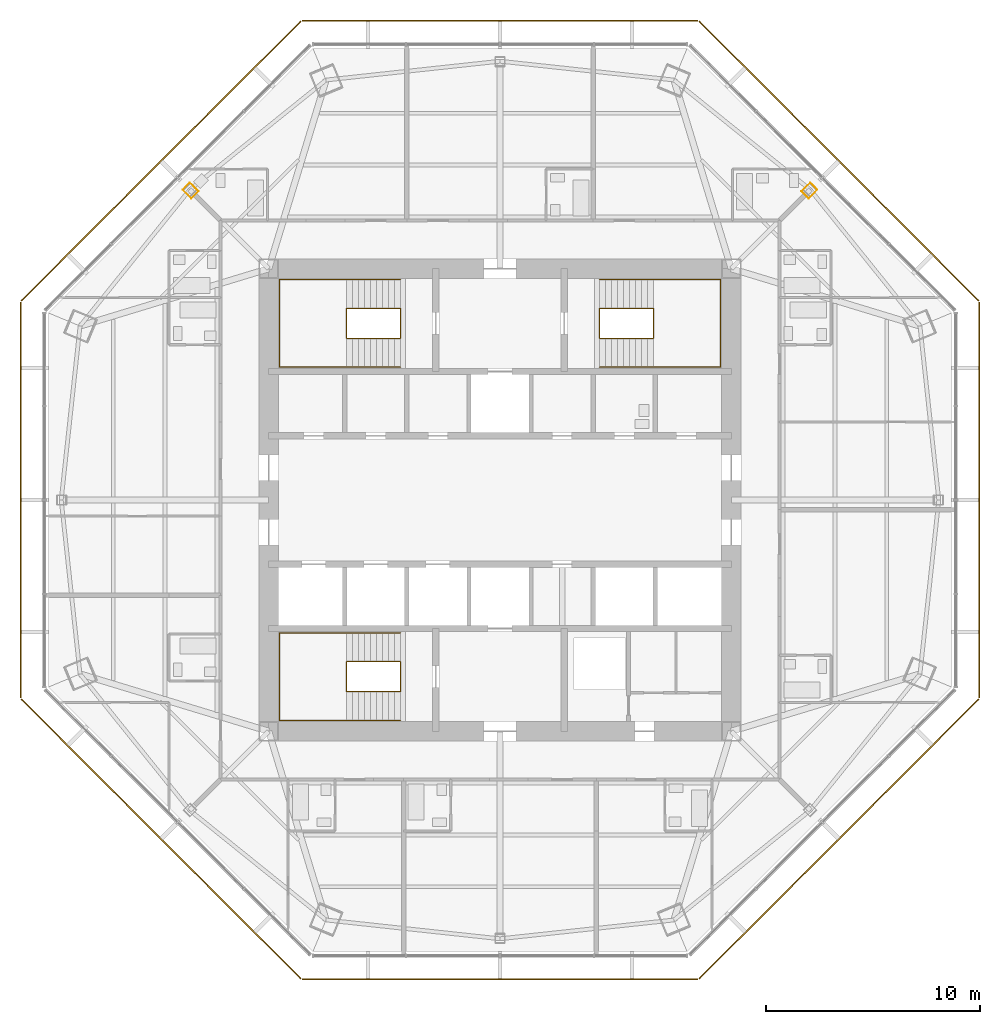
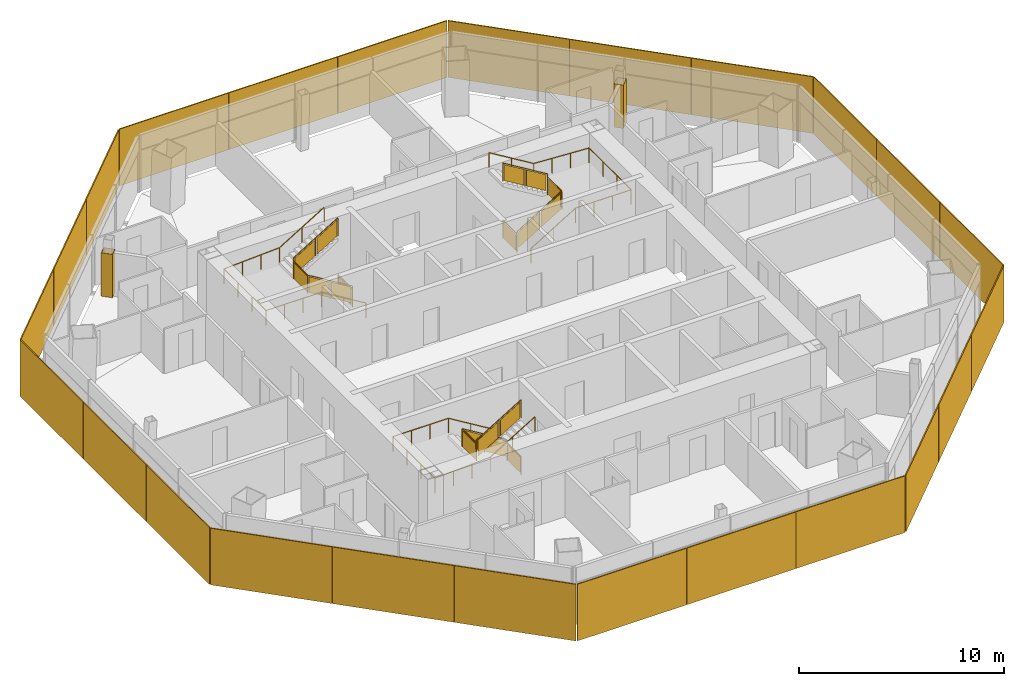
# One storey, part 13 of 14: 24 shading devices, 6 railings, 2 coverings.
"""IFC4 building model written with IfcOpenShell, lengths in metres."""

from ifc_helpers import new_model, si_unit, direction, frame, origin, origin_2d, place, context, subcontext, project, spatial, polyline, rectangle, circle, outline, extrude, source, transform, mapped, material, layer, layer_set, type_object, type_shapes, element, save


model = new_model("IFC4")

# Units and contexts
model_context = context("Model", 3, precision=1e-05, world=origin(), true_north=direction((0.0, 1.0)))
body_context = subcontext(model_context, "Body", "Model", "MODEL_VIEW")
ifc_project = project(units=[si_unit("LENGTHUNIT", "METRE"), si_unit("AREAUNIT", "SQUARE_METRE"), si_unit("VOLUMEUNIT", "CUBIC_METRE"), si_unit("PLANEANGLEUNIT", "RADIAN"), si_unit("MASSUNIT", "GRAM", prefix="KILO")], contexts=[model_context])

# Site, building, storey
site_placement = place(None, origin())
site = spatial("IfcSite", under=ifc_project, at=site_placement, CompositionType="ELEMENT")
building_placement = place(site_placement, origin())
building = spatial("IfcBuilding", under=site, at=building_placement, Name="Mashrafa Tower", CompositionType="ELEMENT")
storey_placement = place(building_placement, frame((0.0, 0.0, 238.0)))
storey = spatial("IfcBuildingStorey", under=building, at=storey_placement, Name="L56", CompositionType="ELEMENT", Elevation=238.0)

# Coverings
ifc_material_1 = material(Name="Gypsum board")
ifc_layer_1 = layer(ifc_material_1, 0.014892578125)
ifc_layer_set_1 = layer_set([ifc_layer_1], Name="Column casing plasterboard 15")
covering_type = type_object("IfcCoveringType", Name="Column casing plasterboard 15", PredefinedType="CLADDING", material=ifc_layer_set_1)
covering_1_placement = place(storey_placement, origin())
element("IfcCovering", 1, at=covering_1_placement, inside=storey, type_object=covering_type, Name="Column casing L56-001", PredefinedType="CLADDING", context=body_context, shape_type="SweptSolid", body=[
    extrude(outline(polyline([(14.075439453125, 14.414794921875), (14.483154296875, 14.822509765625), (14.822509765625, 14.483154296875), (14.414794921875, 14.075439453125), (14.075439453125, 14.414794921875)]), holes=[polyline([(14.80126953125, 14.483154296875), (14.483154296875, 14.80126953125), (14.0966796875, 14.414794921875), (14.414794921875, 14.0966796875), (14.80126953125, 14.483154296875)])]), origin(), (0.0, 0.0, 1.0), 2.587890625),
])
covering_2_placement = place(storey_placement, origin())
element("IfcCovering", 2, at=covering_2_placement, inside=storey, type_object=covering_type, Name="Column casing L56-002", PredefinedType="CLADDING", context=body_context, shape_type="SweptSolid", body=[
    extrude(outline(polyline([(-14.822509765625, 14.483154296875), (-14.483154296875, 14.822509765625), (-14.075439453125, 14.414794921875), (-14.414794921875, 14.075439453125), (-14.822509765625, 14.483154296875)]), holes=[polyline([(-14.0966796875, 14.414794921875), (-14.483154296875, 14.80126953125), (-14.80126953125, 14.483154296875), (-14.414794921875, 14.0966796875), (-14.0966796875, 14.414794921875)])]), origin(), (0.0, 0.0, 1.0), 2.587890625),
])

# Railings
ifc_material_2 = material(Name="Steel guard with glass infill", Category="steel")
railing_type_1 = type_object("IfcRailingType", Name="Stair guard 1100", PredefinedType="GUARDRAIL", material=ifc_material_2)
railing_1_placement = place(storey_placement, frame((-4.64990234375, 8.949951171875, 0.0)))
element("IfcRailing", 3, at=railing_1_placement, inside=storey, type_object=railing_type_1, Name="Stair S1 guard L56", PredefinedType="GUARDRAIL", context=body_context, shape_type="SweptSolid", body=[
    extrude(circle(Radius=0.02392578125, at=origin_2d()), frame((0.0, 0.0, 1.076171875), z_axis=(0.0, -1.0, 0.0), x_axis=(1.0, 0.0, 0.0)), (0.0, 0.0, 1.0), 1.39990234375),
    extrude(circle(Radius=0.02392578125, at=origin_2d()), frame((0.0, -1.39990234375, 1.076171875), z_axis=(0.0, 0.0, 1.0), x_axis=(1.0, 0.0, 0.0)), (0.0, 0.0, 1.0), 0.169921875),
    extrude(circle(Radius=0.02392578125, at=origin_2d()), frame((0.0, -1.39990234375, 1.24609375), z_axis=(-0.85478489116, 0.0, 0.518982456201), x_axis=(0.0, -1.0, 0.0)), (0.0, 0.0, 1.0), 2.9482421875),
    extrude(circle(Radius=0.02392578125, at=origin_2d()), frame((-2.52001953125, -1.39990234375, 2.77587890625), z_axis=(0.0, 1.0, 0.0), x_axis=(-1.0, 0.0, 0.0)), (0.0, 0.0, 1.0), 1.39990234375),
    extrude(circle(Radius=0.02392578125, at=origin_2d()), frame((-2.52001953125, 0.0, 2.77587890625), z_axis=(0.0, 0.0, 1.0), x_axis=(1.0, 0.0, 0.0)), (0.0, 0.0, 1.0), 0.170166015625),
    extrude(circle(Radius=0.02392578125, at=origin_2d()), frame((-2.52001953125, 0.0, 2.9462890625), z_axis=(0.854821627497, 0.0, 0.518921945155), x_axis=(0.0, 1.0, 0.0)), (0.0, 0.0, 1.0), 2.947998046875),
    extrude(circle(Radius=0.02099609375, at=origin_2d()), origin(), (0.0, 0.0, 1.0), 1.052001953125),
    extrude(circle(Radius=0.02099609375, at=origin_2d()), frame((0.0, -1.39990234375, 0.0)), (0.0, 0.0, 1.0), 1.052001953125),
    extrude(circle(Radius=0.02099609375, at=origin_2d()), frame((0.0, -1.39990234375, 0.169921875)), (0.0, 0.0, 1.0), 1.052001953125),
    extrude(circle(Radius=0.02099609375, at=origin_2d()), frame((-1.260009765625, -1.39990234375, 0.93505859375)), (0.0, 0.0, 1.0), 1.052001953125),
    extrude(circle(Radius=0.02099609375, at=origin_2d()), frame((-2.52001953125, -1.39990234375, 1.699951171875)), (0.0, 0.0, 1.0), 1.052001953125),
    extrude(circle(Radius=0.02099609375, at=origin_2d()), frame((-2.52001953125, 0.0, 1.699951171875)), (0.0, 0.0, 1.0), 1.052001953125),
    extrude(circle(Radius=0.02099609375, at=origin_2d()), frame((-2.52001953125, 0.0, 1.8701171875)), (0.0, 0.0, 1.0), 1.052001953125),
    extrude(circle(Radius=0.02099609375, at=origin_2d()), frame((-1.260009765625, 0.0, 2.635009765625)), (0.0, 0.0, 1.0), 1.052001953125),
    extrude(circle(Radius=0.02099609375, at=origin_2d()), frame((0.0, 0.0, 3.39990234375)), (0.0, 0.0, 1.0), 1.052001953125),
    extrude(outline(polyline([(0.071044921875, 0.050048828125), (1.328857421875, 0.050048828125), (1.328857421875, 1.001953125), (0.071044921875, 1.001953125), (0.071044921875, 0.050048828125)])), frame((-0.006103515625, 0.0, 0.0), z_axis=(-1.0, 0.0, 0.0), x_axis=(0.0, -1.0, 0.0)), (0.0, 0.0, 1.0), 0.011962890625),
    extrude(outline(polyline([(0.071044921875, 0.093017578125), (1.18896484375, 0.77197265625), (1.18896484375, 1.723876953125), (0.071044921875, 1.045166015625), (0.071044921875, 0.093017578125)])), frame((0.0, -1.393798828125, 0.169921875), z_axis=(0.0, 1.0, 0.0), x_axis=(-1.0, 0.0, 0.0)), (0.0, 0.0, 1.0), 0.011962890625),
    extrude(outline(polyline([(1.3310546875, 0.858154296875), (2.448974609375, 1.536865234375), (2.448974609375, 2.489013671875), (1.3310546875, 1.81005859375), (1.3310546875, 0.858154296875)])), frame((0.0, -1.393798828125, 0.169921875), z_axis=(0.0, 1.0, 0.0), x_axis=(-1.0, 0.0, 0.0)), (0.0, 0.0, 1.0), 0.011962890625),
    extrude(outline(polyline([(0.071044921875, 0.050048828125), (1.328857421875, 0.050048828125), (1.328857421875, 1.001953125), (0.071044921875, 1.001953125), (0.071044921875, 0.050048828125)])), frame((-2.513916015625, -1.39990234375, 1.699951171875), z_axis=(1.0, 0.0, 0.0), x_axis=(0.0, 1.0, 0.0)), (0.0, 0.0, 1.0), 0.011962890625),
    extrude(outline(polyline([(0.071044921875, 0.093017578125), (1.18896484375, 0.771728515625), (1.18896484375, 1.723876953125), (0.071044921875, 1.045166015625), (0.071044921875, 0.093017578125)])), frame((-2.52001953125, -0.006103515625, 1.8701171875), z_axis=(0.0, -1.0, 0.0), x_axis=(1.0, 0.0, 0.0)), (0.0, 0.0, 1.0), 0.011962890625),
    extrude(outline(polyline([(1.3310546875, 0.85791015625), (2.448974609375, 1.53662109375), (2.448974609375, 2.48876953125), (1.3310546875, 1.81005859375), (1.3310546875, 0.85791015625)])), frame((-2.52001953125, -0.006103515625, 1.8701171875), z_axis=(0.0, -1.0, 0.0), x_axis=(1.0, 0.0, 0.0)), (0.0, 0.0, 1.0), 0.011962890625),
])
railing_2_placement = place(storey_placement, frame((4.64990234375, 8.949951171875, 0.0)))
element("IfcRailing", 4, at=railing_2_placement, inside=storey, type_object=railing_type_1, Name="Stair S2 guard L56", PredefinedType="GUARDRAIL", context=body_context, shape_type="SweptSolid", body=[
    extrude(circle(Radius=0.02392578125, at=origin_2d()), frame((0.0, 0.0, 1.076171875), z_axis=(0.0, -1.0, 0.0), x_axis=(1.0, 0.0, 0.0)), (0.0, 0.0, 1.0), 1.39990234375),
    extrude(circle(Radius=0.02392578125, at=origin_2d()), frame((0.0, -1.39990234375, 1.076171875), z_axis=(0.0, 0.0, 1.0), x_axis=(1.0, 0.0, 0.0)), (0.0, 0.0, 1.0), 0.169921875),
    extrude(circle(Radius=0.02392578125, at=origin_2d()), frame((0.0, -1.39990234375, 1.24609375), z_axis=(0.85478489116, 0.0, 0.518982456201), x_axis=(0.0, 1.0, 0.0)), (0.0, 0.0, 1.0), 2.9482421875),
    extrude(circle(Radius=0.02392578125, at=origin_2d()), frame((2.52001953125, -1.39990234375, 2.77587890625), z_axis=(0.0, 1.0, 0.0), x_axis=(-1.0, 0.0, 0.0)), (0.0, 0.0, 1.0), 1.39990234375),
    extrude(circle(Radius=0.02392578125, at=origin_2d()), frame((2.52001953125, 0.0, 2.77587890625), z_axis=(0.0, 0.0, 1.0), x_axis=(1.0, 0.0, 0.0)), (0.0, 0.0, 1.0), 0.170166015625),
    extrude(circle(Radius=0.02392578125, at=origin_2d()), frame((2.52001953125, 0.0, 2.9462890625), z_axis=(-0.854821627497, 0.0, 0.518921945155), x_axis=(0.0, -1.0, 0.0)), (0.0, 0.0, 1.0), 2.947998046875),
    extrude(circle(Radius=0.02099609375, at=origin_2d()), origin(), (0.0, 0.0, 1.0), 1.052001953125),
    extrude(circle(Radius=0.02099609375, at=origin_2d()), frame((0.0, -1.39990234375, 0.0)), (0.0, 0.0, 1.0), 1.052001953125),
    extrude(circle(Radius=0.02099609375, at=origin_2d()), frame((0.0, -1.39990234375, 0.169921875)), (0.0, 0.0, 1.0), 1.052001953125),
    extrude(circle(Radius=0.02099609375, at=origin_2d()), frame((1.260009765625, -1.39990234375, 0.93505859375)), (0.0, 0.0, 1.0), 1.052001953125),
    extrude(circle(Radius=0.02099609375, at=origin_2d()), frame((2.52001953125, -1.39990234375, 1.699951171875)), (0.0, 0.0, 1.0), 1.052001953125),
    extrude(circle(Radius=0.02099609375, at=origin_2d()), frame((2.52001953125, 0.0, 1.699951171875)), (0.0, 0.0, 1.0), 1.052001953125),
    extrude(circle(Radius=0.02099609375, at=origin_2d()), frame((2.52001953125, 0.0, 1.8701171875)), (0.0, 0.0, 1.0), 1.052001953125),
    extrude(circle(Radius=0.02099609375, at=origin_2d()), frame((1.260009765625, 0.0, 2.635009765625)), (0.0, 0.0, 1.0), 1.052001953125),
    extrude(circle(Radius=0.02099609375, at=origin_2d()), frame((0.0, 0.0, 3.39990234375)), (0.0, 0.0, 1.0), 1.052001953125),
    extrude(outline(polyline([(0.071044921875, 0.050048828125), (1.328857421875, 0.050048828125), (1.328857421875, 1.001953125), (0.071044921875, 1.001953125), (0.071044921875, 0.050048828125)])), frame((-0.006103515625, 0.0, 0.0), z_axis=(-1.0, 0.0, 0.0), x_axis=(0.0, -1.0, 0.0)), (0.0, 0.0, 1.0), 0.011962890625),
    extrude(outline(polyline([(0.071044921875, 0.093017578125), (1.18896484375, 0.77197265625), (1.18896484375, 1.723876953125), (0.071044921875, 1.045166015625), (0.071044921875, 0.093017578125)])), frame((0.0, -1.406005859375, 0.169921875), z_axis=(0.0, -1.0, 0.0), x_axis=(1.0, 0.0, 0.0)), (0.0, 0.0, 1.0), 0.011962890625),
    extrude(outline(polyline([(1.3310546875, 0.858154296875), (2.448974609375, 1.536865234375), (2.448974609375, 2.489013671875), (1.3310546875, 1.81005859375), (1.3310546875, 0.858154296875)])), frame((0.0, -1.406005859375, 0.169921875), z_axis=(0.0, -1.0, 0.0), x_axis=(1.0, 0.0, 0.0)), (0.0, 0.0, 1.0), 0.011962890625),
    extrude(outline(polyline([(0.071044921875, 0.050048828125), (1.328857421875, 0.050048828125), (1.328857421875, 1.001953125), (0.071044921875, 1.001953125), (0.071044921875, 0.050048828125)])), frame((2.526123046875, -1.39990234375, 1.699951171875), z_axis=(1.0, 0.0, 0.0), x_axis=(0.0, 1.0, 0.0)), (0.0, 0.0, 1.0), 0.011962890625),
    extrude(outline(polyline([(0.071044921875, 0.093017578125), (1.18896484375, 0.771728515625), (1.18896484375, 1.723876953125), (0.071044921875, 1.045166015625), (0.071044921875, 0.093017578125)])), frame((2.52001953125, 0.006103515625, 1.8701171875), z_axis=(0.0, 1.0, 0.0), x_axis=(-1.0, 0.0, 0.0)), (0.0, 0.0, 1.0), 0.011962890625),
    extrude(outline(polyline([(1.3310546875, 0.85791015625), (2.448974609375, 1.53662109375), (2.448974609375, 2.48876953125), (1.3310546875, 1.81005859375), (1.3310546875, 0.85791015625)])), frame((2.52001953125, 0.006103515625, 1.8701171875), z_axis=(0.0, 1.0, 0.0), x_axis=(-1.0, 0.0, 0.0)), (0.0, 0.0, 1.0), 0.011962890625),
])
railing_3_placement = place(storey_placement, frame((-4.64990234375, -8.949951171875, 0.0)))
element("IfcRailing", 5, at=railing_3_placement, inside=storey, type_object=railing_type_1, Name="Stair S3 guard L56", PredefinedType="GUARDRAIL", context=body_context, shape_type="SweptSolid", body=[
    extrude(circle(Radius=0.02392578125, at=origin_2d()), frame((0.0, 0.0, 1.076171875), z_axis=(0.0, 1.0, 0.0), x_axis=(-1.0, 0.0, 0.0)), (0.0, 0.0, 1.0), 1.39990234375),
    extrude(circle(Radius=0.02392578125, at=origin_2d()), frame((0.0, 1.39990234375, 1.076171875), z_axis=(0.0, 0.0, 1.0), x_axis=(1.0, 0.0, 0.0)), (0.0, 0.0, 1.0), 0.169921875),
    extrude(circle(Radius=0.02392578125, at=origin_2d()), frame((0.0, 1.39990234375, 1.24609375), z_axis=(-0.85478489116, 0.0, 0.518982456201), x_axis=(0.0, -1.0, 0.0)), (0.0, 0.0, 1.0), 2.9482421875),
    extrude(circle(Radius=0.02392578125, at=origin_2d()), frame((-2.52001953125, 1.39990234375, 2.77587890625), z_axis=(0.0, -1.0, 0.0), x_axis=(1.0, 0.0, 0.0)), (0.0, 0.0, 1.0), 1.39990234375),
    extrude(circle(Radius=0.02392578125, at=origin_2d()), frame((-2.52001953125, 0.0, 2.77587890625), z_axis=(0.0, 0.0, 1.0), x_axis=(1.0, 0.0, 0.0)), (0.0, 0.0, 1.0), 0.170166015625),
    extrude(circle(Radius=0.02392578125, at=origin_2d()), frame((-2.52001953125, 0.0, 2.9462890625), z_axis=(0.854821627497, 0.0, 0.518921945155), x_axis=(0.0, 1.0, 0.0)), (0.0, 0.0, 1.0), 2.947998046875),
    extrude(circle(Radius=0.02099609375, at=origin_2d()), origin(), (0.0, 0.0, 1.0), 1.052001953125),
    extrude(circle(Radius=0.02099609375, at=origin_2d()), frame((0.0, 1.39990234375, 0.0)), (0.0, 0.0, 1.0), 1.052001953125),
    extrude(circle(Radius=0.02099609375, at=origin_2d()), frame((0.0, 1.39990234375, 0.169921875)), (0.0, 0.0, 1.0), 1.052001953125),
    extrude(circle(Radius=0.02099609375, at=origin_2d()), frame((-1.260009765625, 1.39990234375, 0.93505859375)), (0.0, 0.0, 1.0), 1.052001953125),
    extrude(circle(Radius=0.02099609375, at=origin_2d()), frame((-2.52001953125, 1.39990234375, 1.699951171875)), (0.0, 0.0, 1.0), 1.052001953125),
    extrude(circle(Radius=0.02099609375, at=origin_2d()), frame((-2.52001953125, 0.0, 1.699951171875)), (0.0, 0.0, 1.0), 1.052001953125),
    extrude(circle(Radius=0.02099609375, at=origin_2d()), frame((-2.52001953125, 0.0, 1.8701171875)), (0.0, 0.0, 1.0), 1.052001953125),
    extrude(circle(Radius=0.02099609375, at=origin_2d()), frame((-1.260009765625, 0.0, 2.635009765625)), (0.0, 0.0, 1.0), 1.052001953125),
    extrude(circle(Radius=0.02099609375, at=origin_2d()), frame((0.0, 0.0, 3.39990234375)), (0.0, 0.0, 1.0), 1.052001953125),
    extrude(outline(polyline([(0.071044921875, 0.050048828125), (1.328857421875, 0.050048828125), (1.328857421875, 1.001953125), (0.071044921875, 1.001953125), (0.071044921875, 0.050048828125)])), frame((0.006103515625, 0.0, 0.0), z_axis=(1.0, 0.0, 0.0), x_axis=(0.0, 1.0, 0.0)), (0.0, 0.0, 1.0), 0.011962890625),
    extrude(outline(polyline([(0.071044921875, 0.093017578125), (1.18896484375, 0.77197265625), (1.18896484375, 1.723876953125), (0.071044921875, 1.045166015625), (0.071044921875, 0.093017578125)])), frame((0.0, 1.406005859375, 0.169921875), z_axis=(0.0, 1.0, 0.0), x_axis=(-1.0, 0.0, 0.0)), (0.0, 0.0, 1.0), 0.011962890625),
    extrude(outline(polyline([(1.3310546875, 0.858154296875), (2.448974609375, 1.536865234375), (2.448974609375, 2.489013671875), (1.3310546875, 1.81005859375), (1.3310546875, 0.858154296875)])), frame((0.0, 1.406005859375, 0.169921875), z_axis=(0.0, 1.0, 0.0), x_axis=(-1.0, 0.0, 0.0)), (0.0, 0.0, 1.0), 0.011962890625),
    extrude(outline(polyline([(0.071044921875, 0.050048828125), (1.328857421875, 0.050048828125), (1.328857421875, 1.001953125), (0.071044921875, 1.001953125), (0.071044921875, 0.050048828125)])), frame((-2.526123046875, 1.39990234375, 1.699951171875), z_axis=(-1.0, 0.0, 0.0), x_axis=(0.0, -1.0, 0.0)), (0.0, 0.0, 1.0), 0.011962890625),
    extrude(outline(polyline([(0.071044921875, 0.093017578125), (1.18896484375, 0.771728515625), (1.18896484375, 1.723876953125), (0.071044921875, 1.045166015625), (0.071044921875, 0.093017578125)])), frame((-2.52001953125, -0.006103515625, 1.8701171875), z_axis=(0.0, -1.0, 0.0), x_axis=(1.0, 0.0, 0.0)), (0.0, 0.0, 1.0), 0.011962890625),
    extrude(outline(polyline([(1.3310546875, 0.85791015625), (2.448974609375, 1.53662109375), (2.448974609375, 2.48876953125), (1.3310546875, 1.81005859375), (1.3310546875, 0.85791015625)])), frame((-2.52001953125, -0.006103515625, 1.8701171875), z_axis=(0.0, -1.0, 0.0), x_axis=(1.0, 0.0, 0.0)), (0.0, 0.0, 1.0), 0.011962890625),
])
ifc_material_3 = material(Name="Steel", Category="steel")
railing_type_2 = type_object("IfcRailingType", Name="Stair handrail 900", PredefinedType="HANDRAIL", material=ifc_material_3)
railing_4_placement = place(storey_placement, frame((-4.64990234375, 6.199951171875, 0.169921875)))
element("IfcRailing", 6, at=railing_4_placement, inside=storey, type_object=railing_type_2, Name="Stair S1 handrail L56", PredefinedType="HANDRAIL", context=body_context, shape_type="SweptSolid", body=[
    extrude(circle(Radius=0.02392578125, at=origin_2d()), frame((0.0, 0.0, 0.8759765625), z_axis=(-0.85478489116, 0.0, 0.518982456201), x_axis=(0.0, -1.0, 0.0)), (0.0, 0.0, 1.0), 2.9482421875),
    extrude(circle(Radius=0.02392578125, at=origin_2d()), frame((-2.52001953125, 0.0, 2.40576171875), z_axis=(-1.0, 0.0, 0.0), x_axis=(0.0, -1.0, 0.0)), (0.0, 0.0, 1.0), 3.130126953125),
    extrude(circle(Radius=0.02392578125, at=origin_2d()), frame((-5.650146484375, 0.0, 2.40576171875), z_axis=(0.0, 1.0, 0.0), x_axis=(-1.0, 0.0, 0.0)), (0.0, 0.0, 1.0), 4.10009765625),
    extrude(circle(Radius=0.02392578125, at=origin_2d()), frame((-5.650146484375, 4.10009765625, 2.40576171875), z_axis=(0.998525548763, 0.0, 0.054283777201), x_axis=(0.0, 1.0, 0.0)), (0.0, 0.0, 1.0), 3.134765625),
    extrude(circle(Radius=0.02392578125, at=origin_2d()), frame((-2.52001953125, 4.10009765625, 2.576171875), z_axis=(0.854821627497, 0.0, 0.518921945155), x_axis=(0.0, 1.0, 0.0)), (0.0, 0.0, 1.0), 2.947998046875),
    extrude(circle(Radius=0.02099609375, at=origin_2d()), origin(), (0.0, 0.0, 1.0), 0.851806640625),
    extrude(circle(Radius=0.02099609375, at=origin_2d()), frame((-1.260009765625, 0.0, 0.76513671875)), (0.0, 0.0, 1.0), 0.851806640625),
    extrude(circle(Radius=0.02099609375, at=origin_2d()), frame((-2.52001953125, 0.0, 1.530029296875)), (0.0, 0.0, 1.0), 0.851806640625),
    extrude(circle(Radius=0.02099609375, at=origin_2d()), frame((-3.5634765625, 0.0, 1.530029296875)), (0.0, 0.0, 1.0), 0.851806640625),
    extrude(circle(Radius=0.02099609375, at=origin_2d()), frame((-4.606689453125, 0.0, 1.530029296875)), (0.0, 0.0, 1.0), 0.851806640625),
    extrude(circle(Radius=0.02099609375, at=origin_2d()), frame((-5.650146484375, 0.0, 1.530029296875)), (0.0, 0.0, 1.0), 0.851806640625),
    extrude(circle(Radius=0.02099609375, at=origin_2d()), frame((-5.650146484375, 1.36669921875, 1.530029296875)), (0.0, 0.0, 1.0), 0.851806640625),
    extrude(circle(Radius=0.02099609375, at=origin_2d()), frame((-5.650146484375, 2.7333984375, 1.530029296875)), (0.0, 0.0, 1.0), 0.851806640625),
    extrude(circle(Radius=0.02099609375, at=origin_2d()), frame((-5.650146484375, 4.10009765625, 1.530029296875)), (0.0, 0.0, 1.0), 0.851806640625),
    extrude(circle(Radius=0.02099609375, at=origin_2d()), frame((-4.606689453125, 4.10009765625, 1.586669921875)), (0.0, 0.0, 1.0), 0.851806640625),
    extrude(circle(Radius=0.02099609375, at=origin_2d()), frame((-3.5634765625, 4.10009765625, 1.6435546875)), (0.0, 0.0, 1.0), 0.851806640625),
    extrude(circle(Radius=0.02099609375, at=origin_2d()), frame((-2.52001953125, 4.10009765625, 1.7001953125)), (0.0, 0.0, 1.0), 0.851806640625),
    extrude(circle(Radius=0.02099609375, at=origin_2d()), frame((-1.260009765625, 4.10009765625, 2.465087890625)), (0.0, 0.0, 1.0), 0.851806640625),
    extrude(circle(Radius=0.02099609375, at=origin_2d()), frame((0.0, 4.10009765625, 3.22998046875)), (0.0, 0.0, 1.0), 0.851806640625),
])
railing_5_placement = place(storey_placement, frame((4.64990234375, 6.199951171875, 0.169921875)))
element("IfcRailing", 7, at=railing_5_placement, inside=storey, type_object=railing_type_2, Name="Stair S2 handrail L56", PredefinedType="HANDRAIL", context=body_context, shape_type="SweptSolid", body=[
    extrude(circle(Radius=0.02392578125, at=origin_2d()), frame((0.0, 0.0, 0.8759765625), z_axis=(0.85478489116, 0.0, 0.518982456201), x_axis=(0.0, 1.0, 0.0)), (0.0, 0.0, 1.0), 2.9482421875),
    extrude(circle(Radius=0.02392578125, at=origin_2d()), frame((2.52001953125, 0.0, 2.40576171875), z_axis=(1.0, 0.0, 0.0), x_axis=(0.0, 1.0, 0.0)), (0.0, 0.0, 1.0), 3.130126953125),
    extrude(circle(Radius=0.02392578125, at=origin_2d()), frame((5.650146484375, 0.0, 2.40576171875), z_axis=(0.0, 1.0, 0.0), x_axis=(-1.0, 0.0, 0.0)), (0.0, 0.0, 1.0), 4.10009765625),
    extrude(circle(Radius=0.02392578125, at=origin_2d()), frame((5.650146484375, 4.10009765625, 2.40576171875), z_axis=(-0.998525548763, 0.0, 0.054283777201), x_axis=(0.0, -1.0, 0.0)), (0.0, 0.0, 1.0), 3.134765625),
    extrude(circle(Radius=0.02392578125, at=origin_2d()), frame((2.52001953125, 4.10009765625, 2.576171875), z_axis=(-0.854821627497, 0.0, 0.518921945155), x_axis=(0.0, -1.0, 0.0)), (0.0, 0.0, 1.0), 2.947998046875),
    extrude(circle(Radius=0.02099609375, at=origin_2d()), origin(), (0.0, 0.0, 1.0), 0.851806640625),
    extrude(circle(Radius=0.02099609375, at=origin_2d()), frame((1.260009765625, 0.0, 0.76513671875)), (0.0, 0.0, 1.0), 0.851806640625),
    extrude(circle(Radius=0.02099609375, at=origin_2d()), frame((2.52001953125, 0.0, 1.530029296875)), (0.0, 0.0, 1.0), 0.851806640625),
    extrude(circle(Radius=0.02099609375, at=origin_2d()), frame((3.5634765625, 0.0, 1.530029296875)), (0.0, 0.0, 1.0), 0.851806640625),
    extrude(circle(Radius=0.02099609375, at=origin_2d()), frame((4.606689453125, 0.0, 1.530029296875)), (0.0, 0.0, 1.0), 0.851806640625),
    extrude(circle(Radius=0.02099609375, at=origin_2d()), frame((5.650146484375, 0.0, 1.530029296875)), (0.0, 0.0, 1.0), 0.851806640625),
    extrude(circle(Radius=0.02099609375, at=origin_2d()), frame((5.650146484375, 1.36669921875, 1.530029296875)), (0.0, 0.0, 1.0), 0.851806640625),
    extrude(circle(Radius=0.02099609375, at=origin_2d()), frame((5.650146484375, 2.7333984375, 1.530029296875)), (0.0, 0.0, 1.0), 0.851806640625),
    extrude(circle(Radius=0.02099609375, at=origin_2d()), frame((5.650146484375, 4.10009765625, 1.530029296875)), (0.0, 0.0, 1.0), 0.851806640625),
    extrude(circle(Radius=0.02099609375, at=origin_2d()), frame((4.606689453125, 4.10009765625, 1.586669921875)), (0.0, 0.0, 1.0), 0.851806640625),
    extrude(circle(Radius=0.02099609375, at=origin_2d()), frame((3.5634765625, 4.10009765625, 1.6435546875)), (0.0, 0.0, 1.0), 0.851806640625),
    extrude(circle(Radius=0.02099609375, at=origin_2d()), frame((2.52001953125, 4.10009765625, 1.7001953125)), (0.0, 0.0, 1.0), 0.851806640625),
    extrude(circle(Radius=0.02099609375, at=origin_2d()), frame((1.260009765625, 4.10009765625, 2.465087890625)), (0.0, 0.0, 1.0), 0.851806640625),
    extrude(circle(Radius=0.02099609375, at=origin_2d()), frame((0.0, 4.10009765625, 3.22998046875)), (0.0, 0.0, 1.0), 0.851806640625),
])
railing_6_placement = place(storey_placement, frame((-4.64990234375, -6.199951171875, 0.169921875)))
element("IfcRailing", 8, at=railing_6_placement, inside=storey, type_object=railing_type_2, Name="Stair S3 handrail L56", PredefinedType="HANDRAIL", context=body_context, shape_type="SweptSolid", body=[
    extrude(circle(Radius=0.02392578125, at=origin_2d()), frame((0.0, 0.0, 0.8759765625), z_axis=(-0.85478489116, 0.0, 0.518982456201), x_axis=(0.0, -1.0, 0.0)), (0.0, 0.0, 1.0), 2.9482421875),
    extrude(circle(Radius=0.02392578125, at=origin_2d()), frame((-2.52001953125, 0.0, 2.40576171875), z_axis=(-1.0, 0.0, 0.0), x_axis=(0.0, -1.0, 0.0)), (0.0, 0.0, 1.0), 3.130126953125),
    extrude(circle(Radius=0.02392578125, at=origin_2d()), frame((-5.650146484375, 0.0, 2.40576171875), z_axis=(0.0, -1.0, 0.0), x_axis=(1.0, 0.0, 0.0)), (0.0, 0.0, 1.0), 4.10009765625),
    extrude(circle(Radius=0.02392578125, at=origin_2d()), frame((-5.650146484375, -4.10009765625, 2.40576171875), z_axis=(0.998525548763, 0.0, 0.054283777201), x_axis=(0.0, 1.0, 0.0)), (0.0, 0.0, 1.0), 3.134765625),
    extrude(circle(Radius=0.02392578125, at=origin_2d()), frame((-2.52001953125, -4.10009765625, 2.576171875), z_axis=(0.854821627497, 0.0, 0.518921945155), x_axis=(0.0, 1.0, 0.0)), (0.0, 0.0, 1.0), 2.947998046875),
    extrude(circle(Radius=0.02099609375, at=origin_2d()), origin(), (0.0, 0.0, 1.0), 0.851806640625),
    extrude(circle(Radius=0.02099609375, at=origin_2d()), frame((-1.260009765625, 0.0, 0.76513671875)), (0.0, 0.0, 1.0), 0.851806640625),
    extrude(circle(Radius=0.02099609375, at=origin_2d()), frame((-2.52001953125, 0.0, 1.530029296875)), (0.0, 0.0, 1.0), 0.851806640625),
    extrude(circle(Radius=0.02099609375, at=origin_2d()), frame((-3.5634765625, 0.0, 1.530029296875)), (0.0, 0.0, 1.0), 0.851806640625),
    extrude(circle(Radius=0.02099609375, at=origin_2d()), frame((-4.606689453125, 0.0, 1.530029296875)), (0.0, 0.0, 1.0), 0.851806640625),
    extrude(circle(Radius=0.02099609375, at=origin_2d()), frame((-5.650146484375, 0.0, 1.530029296875)), (0.0, 0.0, 1.0), 0.851806640625),
    extrude(circle(Radius=0.02099609375, at=origin_2d()), frame((-5.650146484375, -1.36669921875, 1.530029296875)), (0.0, 0.0, 1.0), 0.851806640625),
    extrude(circle(Radius=0.02099609375, at=origin_2d()), frame((-5.650146484375, -2.7333984375, 1.530029296875)), (0.0, 0.0, 1.0), 0.851806640625),
    extrude(circle(Radius=0.02099609375, at=origin_2d()), frame((-5.650146484375, -4.10009765625, 1.530029296875)), (0.0, 0.0, 1.0), 0.851806640625),
    extrude(circle(Radius=0.02099609375, at=origin_2d()), frame((-4.606689453125, -4.10009765625, 1.586669921875)), (0.0, 0.0, 1.0), 0.851806640625),
    extrude(circle(Radius=0.02099609375, at=origin_2d()), frame((-3.5634765625, -4.10009765625, 1.6435546875)), (0.0, 0.0, 1.0), 0.851806640625),
    extrude(circle(Radius=0.02099609375, at=origin_2d()), frame((-2.52001953125, -4.10009765625, 1.7001953125)), (0.0, 0.0, 1.0), 0.851806640625),
    extrude(circle(Radius=0.02099609375, at=origin_2d()), frame((-1.260009765625, -4.10009765625, 2.465087890625)), (0.0, 0.0, 1.0), 0.851806640625),
    extrude(circle(Radius=0.02099609375, at=origin_2d()), frame((0.0, -4.10009765625, 3.22998046875)), (0.0, 0.0, 1.0), 0.851806640625),
])

# Shading devices
ifc_material_4 = material(Name="Perforated aluminium plate, eight-point star pattern", Category="aluminium")
ifc_layer_2 = layer(ifc_material_4, 0.06005859375)
ifc_layer_set_2 = layer_set([ifc_layer_2], Name="Mashrabiya screen panel apartment zone 3, 28 percent open")
shading_device_type = type_object("IfcShadingDeviceType", Name="Mashrabiya screen panel apartment zone 3, 28 percent open", PredefinedType="SHUTTER", material=ifc_layer_set_2)
shared_shape = source(origin(), body_context, "Body", "SweptSolid", [
    extrude(rectangle(XDim=6.145751953125, YDim=0.06005859375, at=origin_2d()), origin(), (0.0, 0.0, 1.0), 3.3798828125),
])
type_shapes(shading_device_type, [shared_shape])
for number, where, z_axis, x_axis, name in (
    (9, (22.382080078125, -6.165771484375, -0.14990234375), (0.0, 0.0, 1.0), (0.0, 1.0, 0.0), "Mashrabiya screen L56 east 1"),
    (10, (22.382080078125, 0.0, -0.14990234375), (0.0, 0.0, 1.0), (0.0, 1.0, 0.0), "Mashrabiya screen L56 east 2"),
    (11, (22.382080078125, 6.165771484375, -0.14990234375), (0.0, 0.0, 1.0), (0.0, 1.0, 0.0), "Mashrabiya screen L56 east 3"),
    (12, (20.186279296875, 11.466796875, -0.14990234375), (0.0, 0.0, 1.0), (-0.707106781187, 0.707106781187, 0.0), "Mashrabiya screen L56 north-east 1"),
    (13, (15.826416015625, 15.826416015625, -0.14990234375), (0.0, 0.0, 1.0), (-0.707106781187, 0.707106781187, 0.0), "Mashrabiya screen L56 north-east 2"),
    (14, (11.466796875, 20.186279296875, -0.14990234375), (0.0, 0.0, 1.0), (-0.707106781187, 0.707106781187, 0.0), "Mashrabiya screen L56 north-east 3"),
    (15, (6.165771484375, 22.382080078125, -0.14990234375), (0.0, 0.0, 1.0), (-1.0, 0.0, 0.0), "Mashrabiya screen L56 north 1"),
    (16, (0.0, 22.382080078125, -0.14990234375), (0.0, 0.0, 1.0), (-1.0, 0.0, 0.0), "Mashrabiya screen L56 north 2"),
    (17, (-6.165771484375, 22.382080078125, -0.14990234375), (0.0, 0.0, 1.0), (-1.0, 0.0, 0.0), "Mashrabiya screen L56 north 3"),
    (18, (-11.466796875, 20.186279296875, -0.14990234375), (0.0, 0.0, 1.0), (-0.707106781187, -0.707106781187, 0.0), "Mashrabiya screen L56 north-west 1"),
    (19, (-15.826416015625, 15.826416015625, -0.14990234375), (0.0, 0.0, 1.0), (-0.707106781187, -0.707106781187, 0.0), "Mashrabiya screen L56 north-west 2"),
    (20, (-20.186279296875, 11.466796875, -0.14990234375), (0.0, 0.0, 1.0), (-0.707106781187, -0.707106781187, 0.0), "Mashrabiya screen L56 north-west 3"),
    (21, (-22.382080078125, 6.165771484375, -0.14990234375), (0.0, 0.0, 1.0), (0.0, -1.0, 0.0), "Mashrabiya screen L56 west 1"),
    (22, (-22.382080078125, 0.0, -0.14990234375), (0.0, 0.0, 1.0), (0.0, -1.0, 0.0), "Mashrabiya screen L56 west 2"),
    (23, (-22.382080078125, -6.165771484375, -0.14990234375), (0.0, 0.0, 1.0), (0.0, -1.0, 0.0), "Mashrabiya screen L56 west 3"),
    (24, (-20.186279296875, -11.466796875, -0.14990234375), (0.0, 0.0, 1.0), (0.707106781187, -0.707106781187, 0.0), "Mashrabiya screen L56 south-west 1"),
    (25, (-15.826416015625, -15.826416015625, -0.14990234375), (0.0, 0.0, 1.0), (0.707106781187, -0.707106781187, 0.0), "Mashrabiya screen L56 south-west 2"),
    (26, (-11.466796875, -20.186279296875, -0.14990234375), (0.0, 0.0, 1.0), (0.707106781187, -0.707106781187, 0.0), "Mashrabiya screen L56 south-west 3"),
    (27, (-6.165771484375, -22.382080078125, -0.14990234375), (0.0, 0.0, 1.0), (1.0, 0.0, 0.0), "Mashrabiya screen L56 south 1"),
    (28, (0.0, -22.382080078125, -0.14990234375), (0.0, 0.0, 1.0), (1.0, 0.0, 0.0), "Mashrabiya screen L56 south 2"),
    (29, (6.165771484375, -22.382080078125, -0.14990234375), (0.0, 0.0, 1.0), (1.0, 0.0, 0.0), "Mashrabiya screen L56 south 3"),
    (30, (11.466796875, -20.186279296875, -0.14990234375), (0.0, 0.0, 1.0), (0.707106781187, 0.707106781187, 0.0), "Mashrabiya screen L56 south-east 1"),
    (31, (15.826416015625, -15.826416015625, -0.14990234375), (0.0, 0.0, 1.0), (0.707106781187, 0.707106781187, 0.0), "Mashrabiya screen L56 south-east 2"),
    (32, (20.186279296875, -11.466796875, -0.14990234375), (0.0, 0.0, 1.0), (0.707106781187, 0.707106781187, 0.0), "Mashrabiya screen L56 south-east 3"),
):
    element("IfcShadingDevice", number, at=place(storey_placement, frame(where, z_axis=z_axis, x_axis=x_axis)), inside=storey, type_object=shading_device_type, Name=name, PredefinedType="SHUTTER", context=body_context, shape_type="MappedRepresentation", body=[
        mapped(shared_shape, transform((0.0, 0.0, 0.0))),
    ])

save(model, "model.ifc")
